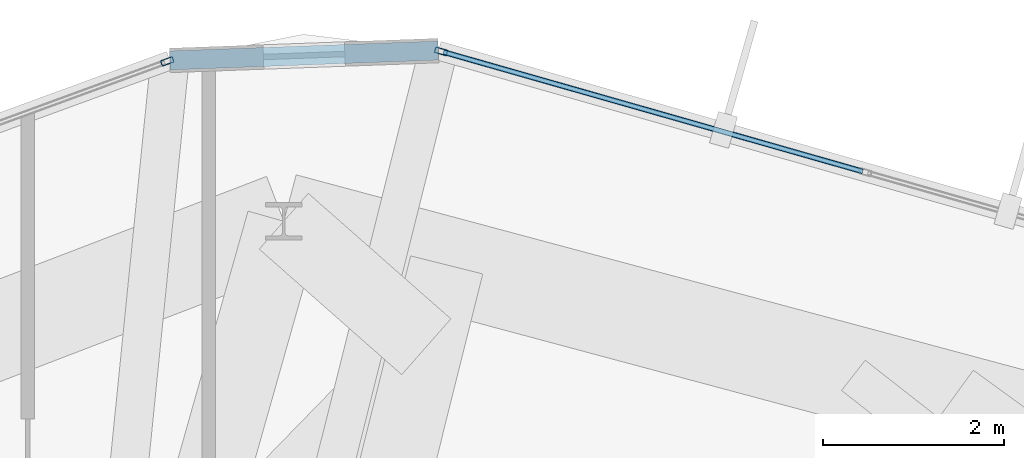
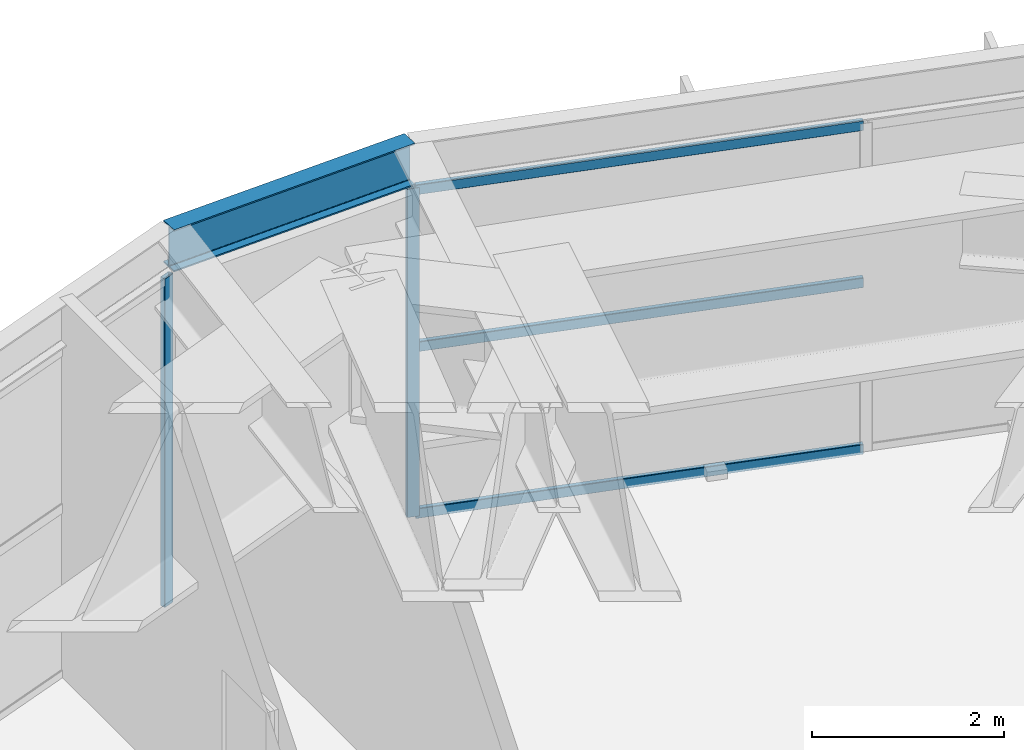
# One storey, part 22 of 30: 5 members, 1 beam, 2 elements without a shape of their own.
"""IFC4 building model written with IfcOpenShell, lengths in metres."""

from ifc_helpers import new_model, si_unit, direction, frame, origin, origin_2d, place, context, subcontext, project, spatial, hollow_rectangle, i_section, extrude, material, layer, layer_set, material_profile, profile_set, type_object, element, aggregate, save


model = new_model("IFC4")

# Units and contexts
model_context = context("Model", 3, precision=1e-05, world=origin(), true_north=direction((0.0, 1.0)))
body_context = subcontext(model_context, "Body", "Model", "MODEL_VIEW")
ifc_project = project(units=[si_unit("LENGTHUNIT", "METRE"), si_unit("AREAUNIT", "SQUARE_METRE"), si_unit("VOLUMEUNIT", "CUBIC_METRE"), si_unit("PLANEANGLEUNIT", "RADIAN"), si_unit("MASSUNIT", "GRAM", prefix="KILO")], contexts=[model_context])

# Site, building, storey
site_placement = place(None, origin())
site = spatial("IfcSite", under=ifc_project, at=site_placement, CompositionType="ELEMENT")
building_placement = place(site_placement, origin())
building = spatial("IfcBuilding", under=site, at=building_placement, Name="Soratama Intermodal Tower", CompositionType="ELEMENT")
storey_placement = place(building_placement, frame((0.0, 0.0, 237.39990234375)))
storey = spatial("IfcBuildingStorey", under=building, at=storey_placement, Name="L60", CompositionType="ELEMENT", Elevation=237.39990234375)

# Beam
ifc_material_1 = material(Name="Structural steel ASTM A992 Grade 50", Category="steel")
ifc_material_profile_1 = material_profile(ifc_material_1, i_section(OverallWidth=0.2099609375, OverallDepth=0.537109375, WebThickness=0.010986328125, FlangeThickness=0.017333984375, FilletRadius=0.012939453125, at=origin_2d()), Name="W21X68")
ifc_profile_set_1 = profile_set([ifc_material_profile_1], Name="Structural steel ASTM A992 Grade 50")
beam_type = type_object("IfcBeamType", Name="BM-SPN-W21X68", PredefinedType="SPANDREL", material=ifc_profile_set_1)
beam_placement = place(storey_placement, frame((45.73388671875, 45.458984375, 4.531494140625), z_axis=(-0.999325839971, -0.036713288684, 0.0), x_axis=(0.036713288684, -0.999325839971, 0.0)))
element("IfcBeam", 1, at=beam_placement, inside=storey, type_object=beam_type, Name="BS-L60-CRN01", PredefinedType="SPANDREL", context=body_context, shape_type="SweptSolid", body=[
    extrude(i_section(OverallWidth=0.2099609375, OverallDepth=0.537109375, WebThickness=0.010986328125, FlangeThickness=0.017333984375, FilletRadius=0.012939453125, at=origin_2d()), origin(), (0.0, 0.0, 1.0), 2.9658203125),
])

# Curtain wall, member
ifc_material_2 = material(Name="Double-glazed aluminium curtain wall", Category="aluminium")
ifc_layer = layer(ifc_material_2, 0.159912109375)
ifc_layer_set = layer_set([ifc_layer], Name="Double-glazed aluminium curtain wall")
curtain_wall_type = type_object("IfcCurtainWallType", Name="CW-SYS-5", PredefinedType="NOTDEFINED", material=ifc_layer_set)
curtain_wall_1_placement = place(storey_placement, origin())
curtain_wall_1 = element("IfcCurtainWall", 2, at=curtain_wall_1_placement, inside=storey, type_object=curtain_wall_type, Name="L60 Faceted Curtain Wall F01", PredefinedType="NOTDEFINED")
ifc_material_3 = material(Name="Anodised aluminium AA 6063-T6", Category="aluminium")
ifc_material_profile_2 = material_profile(ifc_material_3, hollow_rectangle(XDim=0.06494140625, YDim=0.139892578125, WallThickness=0.0048828125, InnerFilletRadius=0.0048828125, OuterFilletRadius=0.010009765625, at=origin_2d()), Name="CWM140X65X5")
ifc_profile_set_2 = profile_set([ifc_material_profile_2], Name="Anodised aluminium AA 6063-T6")
member_type_1 = type_object("IfcMemberType", Name="MT-CWM-5", PredefinedType="MULLION", material=ifc_profile_set_2)
member_1_placement = place(storey_placement, frame((45.762939453125, 45.450439453125, 0.0), z_axis=(0.0, 0.0, 1.0), x_axis=(-0.273963449119, -0.96174010447, 0.0)))
member_1 = element("IfcMember", 3, at=member_1_placement, type_object=member_type_1, Name="CW-5 mullion 3", PredefinedType="MULLION", context=body_context, shape_type="SweptSolid", body=[
    extrude(hollow_rectangle(XDim=0.06494140625, YDim=0.139892578125, WallThickness=0.0048828125, InnerFilletRadius=0.0048828125, OuterFilletRadius=0.010009765625, at=origin_2d()), origin(), (0.0, 0.0, 1.0), 4.17919921875),
])

curtain_wall_2_placement = place(storey_placement, origin())
curtain_wall_2 = element("IfcCurtainWall", 4, at=curtain_wall_2_placement, inside=storey, type_object=curtain_wall_type, Name="L60 Faceted Curtain Wall F02", PredefinedType="NOTDEFINED")
member_2_placement = place(storey_placement, frame((42.7412109375, 45.339599609375, 0.0), z_axis=(0.0, 0.0, 1.0), x_axis=(0.343664081803, -0.93909264659, 0.0)))
member_2 = element("IfcMember", 5, at=member_2_placement, type_object=member_type_1, Name="CW-5 mullion 1", PredefinedType="MULLION", context=body_context, shape_type="SweptSolid", body=[
    extrude(hollow_rectangle(XDim=0.06494140625, YDim=0.139892578125, WallThickness=0.0048828125, InnerFilletRadius=0.0048828125, OuterFilletRadius=0.010009765625, at=origin_2d()), origin(), (0.0, 0.0, 1.0), 4.17919921875),
])
aggregate(curtain_wall_2, [member_2])

# Member
ifc_material_4 = material(Name="Anodised aluminium AA 6063-T6", Category="aluminium")
ifc_material_profile_3 = material_profile(ifc_material_4, hollow_rectangle(XDim=0.06005859375, YDim=0.1298828125, WallThickness=0.0048828125, InnerFilletRadius=0.0048828125, OuterFilletRadius=0.010009765625, at=origin_2d()), Name="CWT130X60X5")
ifc_profile_set_3 = profile_set([ifc_material_profile_3], Name="Anodised aluminium AA 6063-T6")
member_type_2 = type_object("IfcMemberType", Name="TT-CWT-2", PredefinedType="USERDEFINED", material=ifc_profile_set_3)
member_3_placement = place(storey_placement, frame((50.416748046875, 44.124755859375, 0.030029296875), z_axis=(-0.961732485616, 0.273990193458, 0.0), x_axis=(-0.273990193458, -0.961732485616, 0.0)))
member_3 = element("IfcMember", 6, at=member_3_placement, type_object=member_type_2, Name="CW-5 transom 2.1", ObjectType="TRANSOM", PredefinedType="USERDEFINED", context=body_context, shape_type="SweptSolid", body=[
    extrude(hollow_rectangle(XDim=0.06005859375, YDim=0.1298828125, WallThickness=0.0048828125, InnerFilletRadius=0.0048828125, OuterFilletRadius=0.010009765625, at=origin_2d()), origin(), (0.0, 0.0, 1.0), 4.80908203125),
])

member_4_placement = place(storey_placement, frame((50.416748046875, 44.124755859375, 2.150146484375), z_axis=(-0.961732485616, 0.273990193458, 0.0), x_axis=(-0.273990193458, -0.961732485616, 0.0)))
member_4 = element("IfcMember", 7, at=member_4_placement, type_object=member_type_2, Name="CW-5 transom 2.2", ObjectType="TRANSOM", PredefinedType="USERDEFINED", context=body_context, shape_type="SweptSolid", body=[
    extrude(hollow_rectangle(XDim=0.06005859375, YDim=0.1298828125, WallThickness=0.0048828125, InnerFilletRadius=0.0048828125, OuterFilletRadius=0.010009765625, at=origin_2d()), origin(), (0.0, 0.0, 1.0), 4.80908203125),
])

member_5_placement = place(storey_placement, frame((50.416748046875, 44.124755859375, 4.149169921875), z_axis=(-0.961732485616, 0.273990193458, 0.0), x_axis=(-0.273990193458, -0.961732485616, 0.0)))
member_5 = element("IfcMember", 8, at=member_5_placement, type_object=member_type_2, Name="CW-5 transom 2.3", ObjectType="TRANSOM", PredefinedType="USERDEFINED", context=body_context, shape_type="SweptSolid", body=[
    extrude(hollow_rectangle(XDim=0.06005859375, YDim=0.1298828125, WallThickness=0.0048828125, InnerFilletRadius=0.0048828125, OuterFilletRadius=0.010009765625, at=origin_2d()), origin(), (0.0, 0.0, 1.0), 4.80908203125),
])

aggregate(curtain_wall_1, [member_1, member_3, member_4, member_5])

save(model, "model.ifc")
